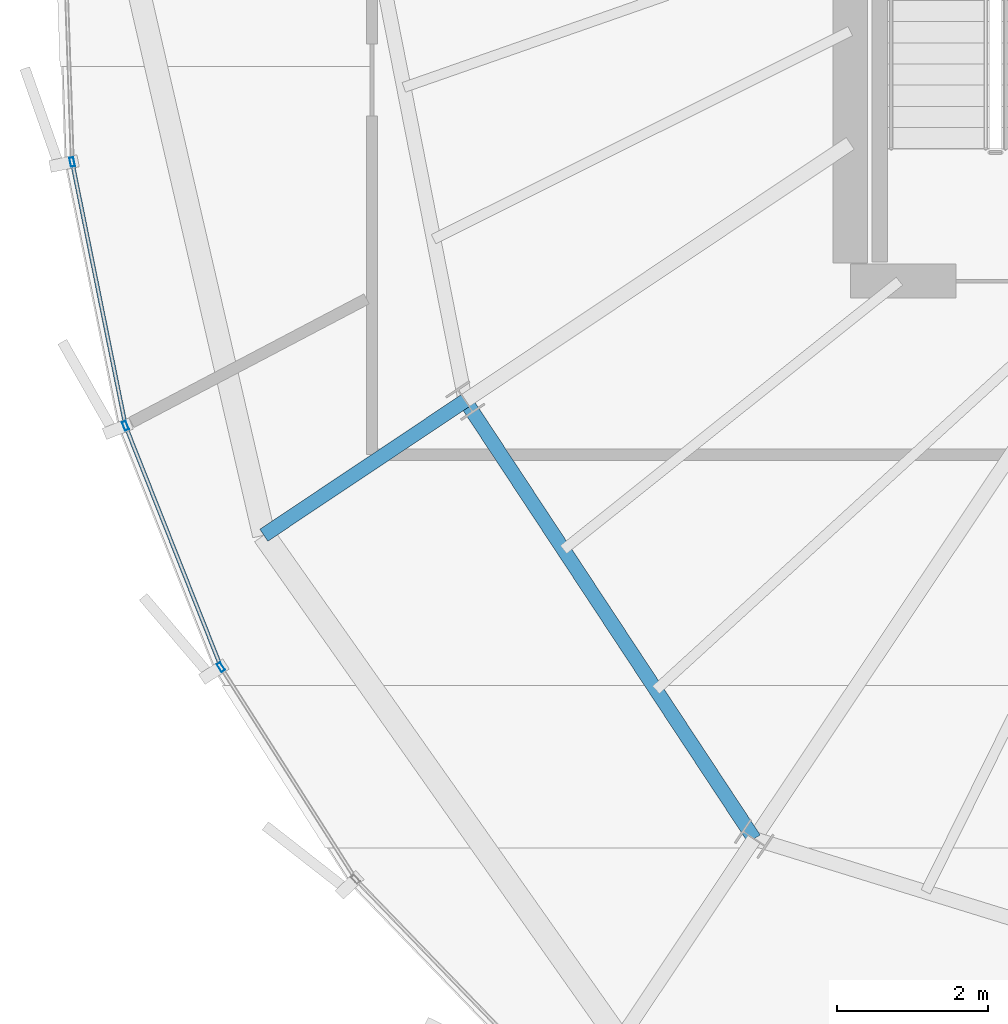
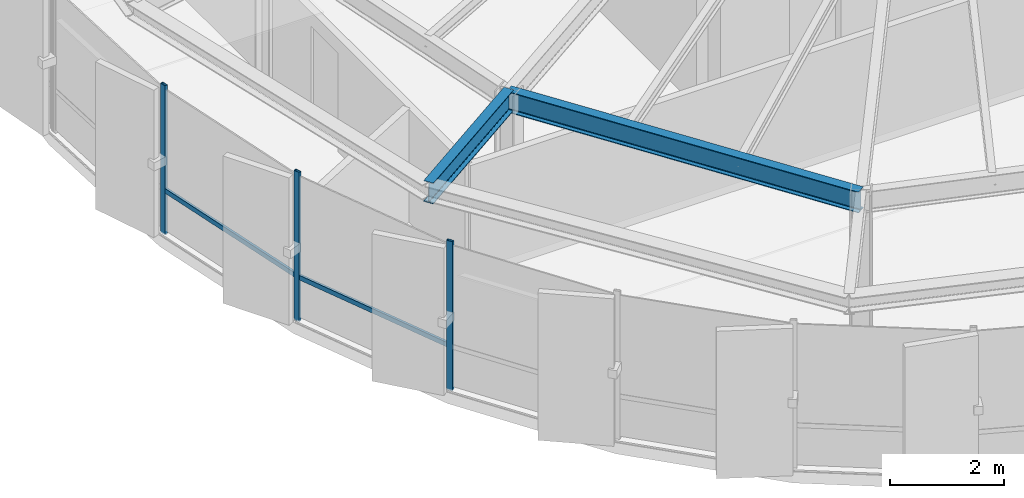
# One storey, part 4 of 31: 5 members, 2 beams, 1 element without a shape of its own.
"""IFC4 building model written with IfcOpenShell, lengths in metres."""

from ifc_helpers import new_model, si_unit, direction, frame, origin, origin_2d, place, context, subcontext, project, spatial, hollow_rectangle, i_section, extrude, source, transform, mapped, material, layer, layer_set, material_profile, profile_set, type_object, element, aggregate, save


model = new_model("IFC4")

# Units and contexts
model_context = context("Model", 3, precision=1e-05, world=origin(), true_north=direction((0.0, 1.0)))
body_context = subcontext(model_context, "Body", "Model", "MODEL_VIEW")
ifc_project = project(units=[si_unit("LENGTHUNIT", "METRE"), si_unit("AREAUNIT", "SQUARE_METRE"), si_unit("VOLUMEUNIT", "CUBIC_METRE"), si_unit("PLANEANGLEUNIT", "RADIAN"), si_unit("MASSUNIT", "GRAM", prefix="KILO"), si_unit("THERMODYNAMICTEMPERATUREUNIT", "KELVIN")], contexts=[model_context])

# Site, building, storey
site_placement = place(None, origin())
site = spatial("IfcSite", under=ifc_project, at=site_placement, CompositionType="ELEMENT")
building_placement = place(site_placement, origin())
building = spatial("IfcBuilding", under=site, at=building_placement, Name="Kethvar Cultural Tower", CompositionType="ELEMENT")
storey_placement = place(building_placement, frame((0.0, 0.0, 283.60009765625)))
storey = spatial("IfcBuildingStorey", under=building, at=storey_placement, Name="L75", CompositionType="ELEMENT", Elevation=283.60009765625)

# Beams
ifc_material_1 = material(Name="Steel S355J2", Category="steel")
ifc_material_profile_1 = material_profile(ifc_material_1, i_section(OverallWidth=0.18994140625, OverallDepth=0.449951171875, WebThickness=0.009521484375, FlangeThickness=0.0146484375, FilletRadius=0.02099609375, at=origin_2d()), Name="Steel S355J2 — IPE450")
ifc_profile_set_1 = profile_set([ifc_material_profile_1], Name="Steel S355J2 — IPE450")
beam_type = type_object("IfcBeamType", Name="BM-IPE450", PredefinedType="BEAM", material=ifc_profile_set_1)
shared_shape_1 = source(origin(), body_context, "Body", "SweptSolid", [
    extrude(i_section(OverallWidth=0.18994140625, OverallDepth=0.449951171875, WebThickness=0.009521484375, FlangeThickness=0.0146484375, FilletRadius=0.02099609375, at=origin_2d()), origin(), (0.0, 0.0, 1.0), 3.199951171875),
])
beam_1_placement = place(storey_placement, frame((32.912841796875, 18.52099609375, 2.98291015625), z_axis=(-0.831462943996, -0.555580212716, 0.0), x_axis=(0.555580212716, -0.831462943996, 0.0)))
element("IfcBeam", 1, at=beam_1_placement, inside=storey, type_object=beam_type, Name="L75 Perimeter Cantilever Beam RC-10", PredefinedType="BEAM", context=body_context, shape_type="MappedRepresentation", body=[
    mapped(shared_shape_1, transform((0.0, 0.0, 0.0), scale=1.0)),
])
shared_shape_2 = source(origin(), body_context, "Body", "SweptSolid", [
    extrude(i_section(OverallWidth=0.18994140625, OverallDepth=0.449951171875, WebThickness=0.009521484375, FlangeThickness=0.0146484375, FilletRadius=0.02099609375, at=origin_2d()), origin(), (0.0, 0.0, 1.0), 6.935791015625),
])
beam_2_placement = place(storey_placement, frame((32.912841796875, 18.52099609375, 2.98291015625), z_axis=(0.550534204139, -0.834812607759, 0.0), x_axis=(0.834812607759, 0.550534204139, 0.0)))
element("IfcBeam", 2, at=beam_2_placement, inside=storey, type_object=beam_type, Name="L75 Column Ring Tie Beam CR-10", PredefinedType="BEAM", context=body_context, shape_type="MappedRepresentation", body=[
    mapped(shared_shape_2, transform((0.0, 0.0, 0.0), scale=1.0)),
])

# Curtain wall, members
ifc_material_2 = material(Name="Aluminium 6063-T6", Category="aluminium")
ifc_layer = layer(ifc_material_2, 0.179931640625, Name="Aluminium 6063-T6", Category="aluminium")
ifc_layer_set = layer_set([ifc_layer], Name="Aluminium 6063-T6 (180 mm)")
curtain_wall_type = type_object("IfcCurtainWallType", Name="CW-SYS-05-Z56", PredefinedType="NOTDEFINED", material=ifc_layer_set)
curtain_wall_placement = place(storey_placement, origin())
curtain_wall = element("IfcCurtainWall", 3, at=curtain_wall_placement, inside=storey, type_object=curtain_wall_type, Name="L75 Curtain Wall Run 03", PredefinedType="NOTDEFINED")
ifc_material_profile_2 = material_profile(ifc_material_2, hollow_rectangle(XDim=0.054931640625, YDim=0.1201171875, WallThickness=0.00390625, at=origin_2d()), Name="Aluminium 6063-T6 — RHS120x55x4")
ifc_profile_set_2 = profile_set([ifc_material_profile_2], Name="Aluminium 6063-T6 — RHS120x55x4")
member_type_1 = type_object("IfcMemberType", Name="CW-SYS-05-Z56-MUL", PredefinedType="MULLION", material=ifc_profile_set_2)
shared_shape_3 = source(origin(), body_context, "Body", "SweptSolid", [
    extrude(hollow_rectangle(XDim=0.054931640625, YDim=0.1201171875, WallThickness=0.00390625, at=origin_2d()), origin(), (0.0, 0.0, 1.0), 3.2099609375),
])
member_1_placement = place(storey_placement, frame((27.719482421875, 21.67431640625, 0.0), z_axis=(0.0, 0.0, 1.0), x_axis=(0.980126020865, 0.198375863511, 0.0)))
member_1 = element("IfcMember", 4, at=member_1_placement, type_object=member_type_1, Name="CW-L75-R03 Mullion 2", PredefinedType="MULLION", context=body_context, shape_type="MappedRepresentation", body=[
    mapped(shared_shape_3, transform((0.0, 0.0, 0.0), scale=1.0)),
])
member_2_placement = place(storey_placement, frame((28.423095703125, 18.1904296875, 0.0), z_axis=(0.0, 0.0, 1.0), x_axis=(0.929789335293, 0.368092097138, 0.0)))
member_2 = element("IfcMember", 5, at=member_2_placement, type_object=member_type_1, Name="CW-L75-R03 Mullion 3", PredefinedType="MULLION", context=body_context, shape_type="MappedRepresentation", body=[
    mapped(shared_shape_3, transform((0.0, 0.0, 0.0), scale=1.0)),
])
member_3_placement = place(storey_placement, frame((29.684326171875, 14.99951171875, 0.0), z_axis=(0.0, 0.0, 1.0), x_axis=(0.84369139897, 0.536828485928, 0.0)))
member_3 = element("IfcMember", 6, at=member_3_placement, type_object=member_type_1, Name="CW-L75-R03 Mullion 4", PredefinedType="MULLION", context=body_context, shape_type="MappedRepresentation", body=[
    mapped(shared_shape_3, transform((0.0, 0.0, 0.0), scale=1.0)),
])
ifc_material_profile_3 = material_profile(ifc_material_2, hollow_rectangle(XDim=0.050048828125, YDim=0.10009765625, WallThickness=0.00390625, at=origin_2d()), Name="Aluminium 6063-T6 — RHS100x50x4")
ifc_profile_set_3 = profile_set([ifc_material_profile_3], Name="Aluminium 6063-T6 — RHS100x50x4")
member_type_2 = type_object("IfcMemberType", Name="CW-SYS-05-Z56-TRN", PredefinedType="USERDEFINED", material=ifc_profile_set_3)
shared_shape_4 = source(origin(), body_context, "Body", "SweptSolid", [
    extrude(hollow_rectangle(XDim=0.050048828125, YDim=0.10009765625, WallThickness=0.00390625, at=origin_2d()), origin(), (0.0, 0.0, 1.0), 3.49267578125),
])
member_4_placement = place(storey_placement, frame((27.727294921875, 21.635498046875, 0.949951171875), z_axis=(0.198454639368, -0.980110073468, 0.0), x_axis=(0.980110073468, 0.198454639368, 0.0)))
member_4 = element("IfcMember", 7, at=member_4_placement, type_object=member_type_2, Name="CW-L75-R03 Transom 2", ObjectType="TRANSOM", PredefinedType="USERDEFINED", context=body_context, shape_type="MappedRepresentation", body=[
    mapped(shared_shape_4, transform((0.0, 0.0, 0.0), scale=1.0)),
])
shared_shape_5 = source(origin(), body_context, "Body", "SweptSolid", [
    extrude(hollow_rectangle(XDim=0.050048828125, YDim=0.10009765625, WallThickness=0.00390625, at=origin_2d()), origin(), (0.0, 0.0, 1.0), 3.37060546875),
])
member_5_placement = place(storey_placement, frame((28.437744140625, 18.153564453125, 0.949951171875), z_axis=(0.368091501201, -0.929789571217, 0.0), x_axis=(0.929789571217, 0.368091501201, 0.0)))
member_5 = element("IfcMember", 8, at=member_5_placement, type_object=member_type_2, Name="CW-L75-R03 Transom 3", ObjectType="TRANSOM", PredefinedType="USERDEFINED", context=body_context, shape_type="MappedRepresentation", body=[
    mapped(shared_shape_5, transform((0.0, 0.0, 0.0), scale=1.0)),
])
aggregate(curtain_wall, [member_1, member_2, member_3, member_4, member_5])

save(model, "model.ifc")
